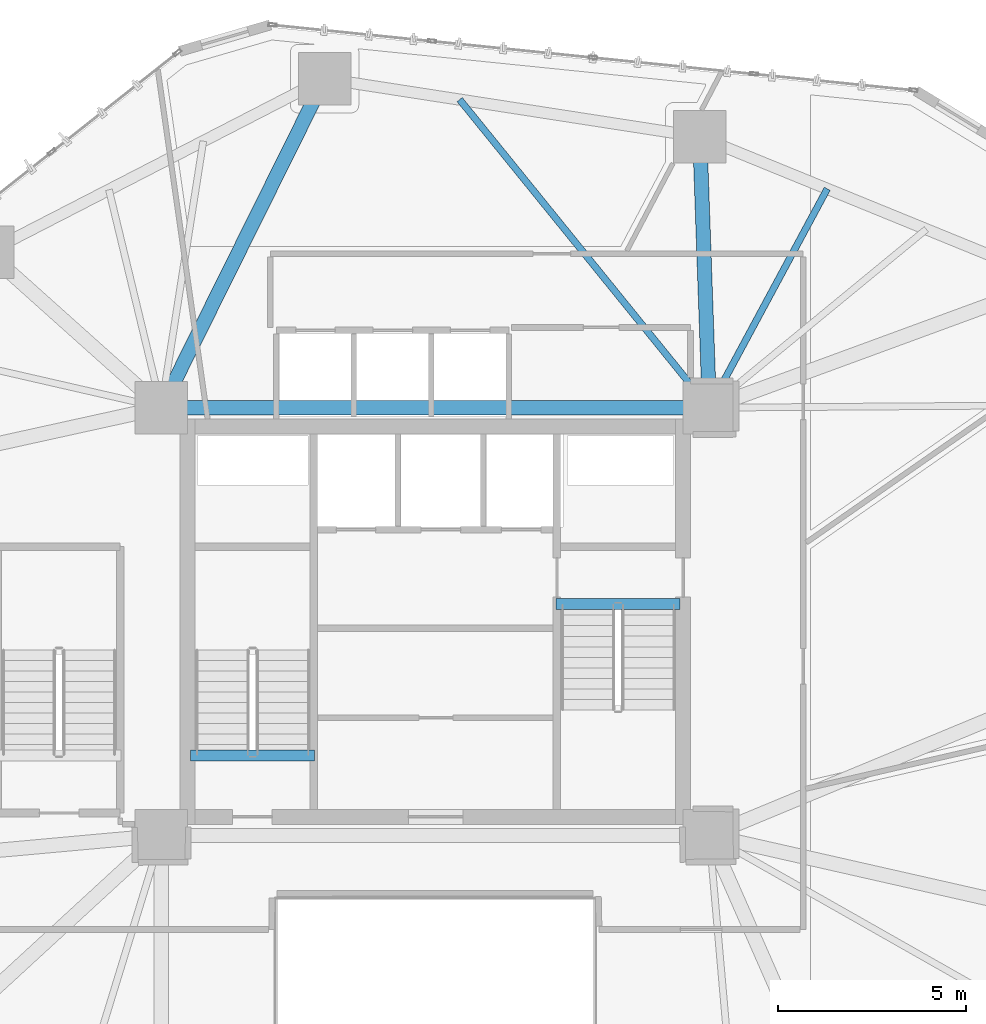
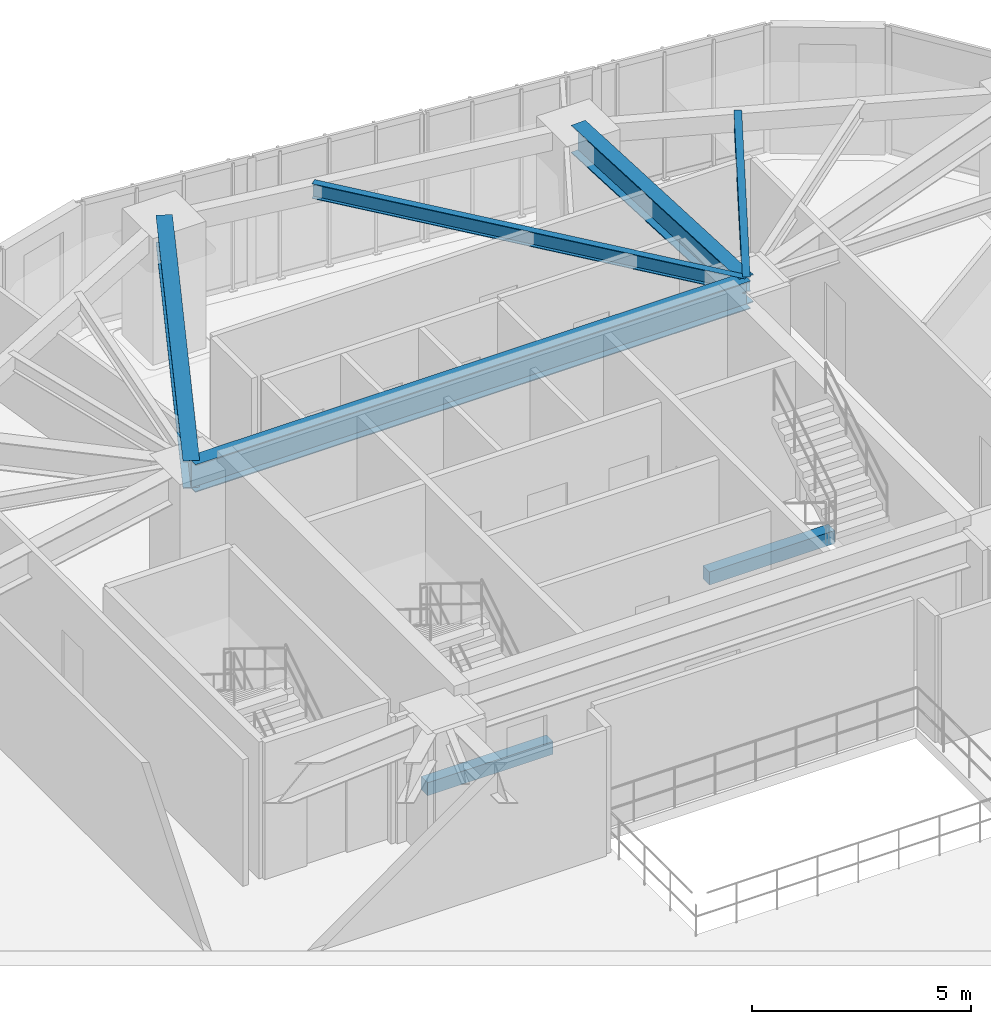
# One storey, part 8 of 24: 7 beams.
"""IFC4 building model written with IfcOpenShell, lengths in metres."""

from ifc_helpers import new_model, si_unit, direction, frame, origin, origin_2d, place, context, subcontext, project, spatial, rectangle, i_section, extrude, material, material_profile, profile_set, type_object, element, save


model = new_model("IFC4")

# Units and contexts
model_context = context("Model", 3, precision=1e-05, world=origin(), true_north=direction((0.0, 1.0)))
body_context = subcontext(model_context, "Body", "Model", "MODEL_VIEW")
ifc_project = project(units=[si_unit("LENGTHUNIT", "METRE"), si_unit("AREAUNIT", "SQUARE_METRE"), si_unit("VOLUMEUNIT", "CUBIC_METRE"), si_unit("PLANEANGLEUNIT", "RADIAN"), si_unit("MASSUNIT", "GRAM", prefix="KILO")], contexts=[model_context])

# Site, building, storey
site_placement = place(None, origin())
site = spatial("IfcSite", under=ifc_project, at=site_placement, CompositionType="ELEMENT")
building_placement = place(site_placement, origin())
building = spatial("IfcBuilding", under=site, at=building_placement, Name="Talar Marvaseh", CompositionType="ELEMENT")
storey_placement = place(building_placement, frame((0.0, 0.0, 73.39990234375)))
storey = spatial("IfcBuildingStorey", under=building, at=storey_placement, Name="L18", CompositionType="ELEMENT", Elevation=73.39990234375)

# Beams
ifc_material_1 = material(Name="Concrete C40/50", Category="concrete")
ifc_material_profile_1 = material_profile(ifc_material_1, rectangle(XDim=0.300048828125, YDim=0.360107421875, at=origin_2d()), Name="RC300x360")
ifc_profile_set_1 = profile_set([ifc_material_profile_1], Name="Concrete C40/50")
beam_type_1 = type_object("IfcBeamType", Name="Concrete Stair Landing Trimmer Beam RC300x360", PredefinedType="SPANDREL", material=ifc_profile_set_1)
for number, where, z_axis, x_axis, name in (
    (1, (22.780029296875, 27.6298828125, -0.179931640625), (-1.0, 0.0, 0.0), (0.0, -1.0, 0.0), "L18 ST-1 Stair Nosing Trimmer Beam"),
    (2, (29.219970703125, 31.669921875, -0.179931640625), (1.0, 0.0, 0.0), (0.0, 1.0, 0.0), "L18 ST-2 Stair Nosing Trimmer Beam"),
):
    element("IfcBeam", number, at=place(storey_placement, frame(where, z_axis=z_axis, x_axis=x_axis)), inside=storey, type_object=beam_type_1, Name=name, PredefinedType="SPANDREL", context=body_context, shape_type="SweptSolid", body=[
        extrude(rectangle(XDim=0.300048828125, YDim=0.360107421875, at=origin_2d()), origin(), (0.0, 0.0, 1.0), 3.300048828125),
    ])
ifc_material_2 = material(Name="Steel S355", Category="steel")
ifc_material_profile_2 = material_profile(ifc_material_2, i_section(OverallWidth=0.381103515625, OverallDepth=0.77294921875, WebThickness=0.0166015625, FlangeThickness=0.027099609375, at=origin_2d()), Name="W760x257")
ifc_profile_set_2 = profile_set([ifc_material_profile_2], Name="Steel S355")
beam_type_2 = type_object("IfcBeamType", Name="Zone 1 Radial Floor Girder W760x257", PredefinedType="BEAM", material=ifc_profile_set_2)
beam_1_placement = place(storey_placement, frame((18.699951171875, 36.89990234375, 3.133544921875), z_axis=(1.0, 0.0, 0.0), x_axis=(0.0, 1.0, 0.0)))
element("IfcBeam", 3, at=beam_1_placement, inside=storey, type_object=beam_type_2, Name="L18 Zone 1 Radial Floor Girder W760x257", PredefinedType="BEAM", context=body_context, shape_type="SweptSolid", body=[
    extrude(i_section(OverallWidth=0.381103515625, OverallDepth=0.77294921875, WebThickness=0.0166015625, FlangeThickness=0.027099609375, at=origin_2d()), origin(), (0.0, 0.0, 1.0), 14.60009765625),
])
beam_2_placement = place(storey_placement, frame((23.047119140625, 45.6669921875, 3.133544921875), z_axis=(-0.444237233911, -0.895909191831, 0.0), x_axis=(0.895909191831, -0.444237233911, 0.0)))
element("IfcBeam", 4, at=beam_2_placement, inside=storey, type_object=beam_type_2, Name="L18 Zone 1 Radial Floor Girder W760x257", PredefinedType="BEAM", context=body_context, shape_type="SweptSolid", body=[
    extrude(i_section(OverallWidth=0.381103515625, OverallDepth=0.77294921875, WebThickness=0.0166015625, FlangeThickness=0.027099609375, at=origin_2d()), origin(), (0.0, 0.0, 1.0), 9.78564453125),
])
beam_3_placement = place(storey_placement, frame((33.0458984375, 44.117919921875, 3.133544921875), z_axis=(0.03518874657, -0.999380684281, 0.0), x_axis=(0.999380684281, 0.03518874657, 0.0)))
element("IfcBeam", 5, at=beam_3_placement, inside=storey, type_object=beam_type_2, Name="L18 Zone 1 Radial Floor Girder W760x257", PredefinedType="BEAM", context=body_context, shape_type="SweptSolid", body=[
    extrude(i_section(OverallWidth=0.381103515625, OverallDepth=0.77294921875, WebThickness=0.0166015625, FlangeThickness=0.027099609375, at=origin_2d()), origin(), (0.0, 0.0, 1.0), 7.222412109375),
])
ifc_material_profile_3 = material_profile(ifc_material_2, i_section(OverallWidth=0.179931640625, OverallDepth=0.4130859375, WebThickness=0.009765625, FlangeThickness=0.01611328125, at=origin_2d()), Name="W410x75")
ifc_profile_set_3 = profile_set([ifc_material_profile_3], Name="Steel S355")
beam_type_3 = type_object("IfcBeamType", Name="Zone 1 Secondary Floor Joist W410x75", PredefinedType="JOIST", material=ifc_profile_set_3)
beam_4_placement = place(storey_placement, frame((26.646484375, 45.109375, 3.3134765625), z_axis=(0.629644089062, -0.776883724317, 0.0), x_axis=(0.776883724317, 0.629644089062, 0.0)))
element("IfcBeam", 6, at=beam_4_placement, inside=storey, type_object=beam_type_3, Name="L18 Zone 1 Secondary Floor Joist W410x75", PredefinedType="JOIST", context=body_context, shape_type="SweptSolid", body=[
    extrude(i_section(OverallWidth=0.179931640625, OverallDepth=0.4130859375, WebThickness=0.009765625, FlangeThickness=0.01611328125, at=origin_2d()), origin(), (0.0, 0.0, 1.0), 10.567138671875),
])
beam_5_placement = place(storey_placement, frame((36.441162109375, 42.732421875, 3.3134765625), z_axis=(-0.474161357627, -0.880437963137, 0.0), x_axis=(0.880437963137, -0.474161357627, 0.0)))
element("IfcBeam", 7, at=beam_5_placement, inside=storey, type_object=beam_type_3, Name="L18 Zone 1 Secondary Floor Joist W410x75", PredefinedType="JOIST", context=body_context, shape_type="SweptSolid", body=[
    extrude(i_section(OverallWidth=0.179931640625, OverallDepth=0.4130859375, WebThickness=0.009765625, FlangeThickness=0.01611328125, at=origin_2d()), origin(), (0.0, 0.0, 1.0), 6.62451171875),
])

save(model, "model.ifc")
